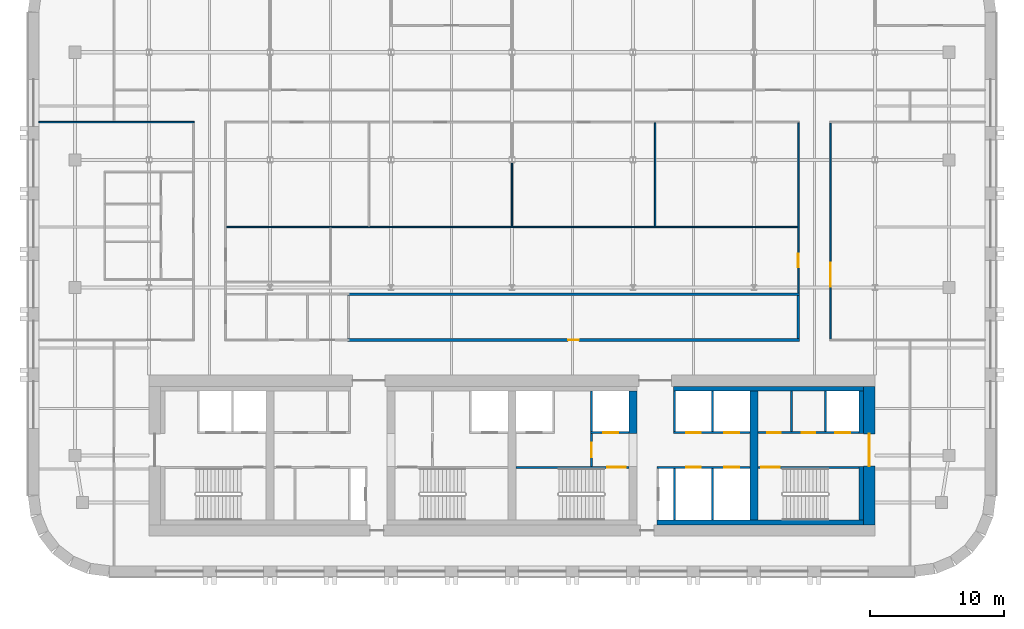
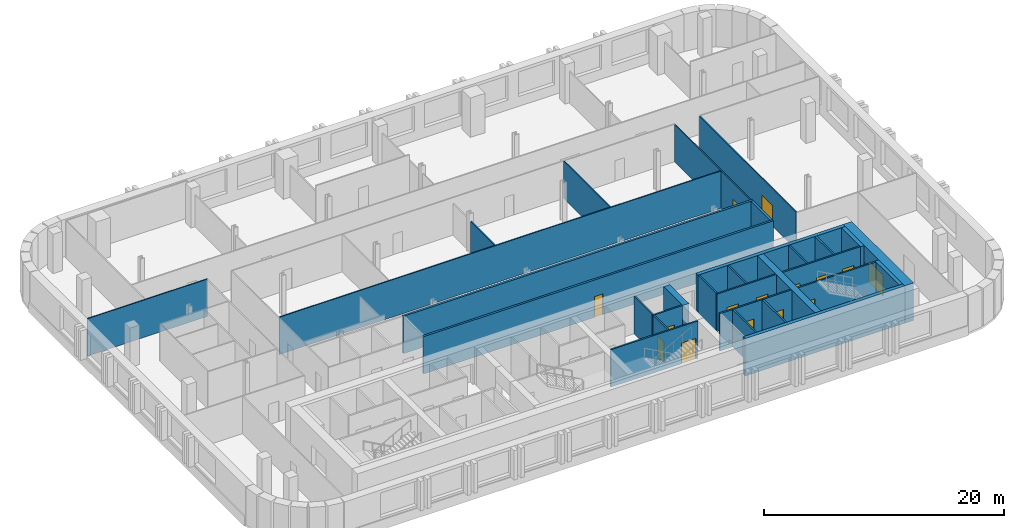
# One storey, part 5 of 9: 30 walls, 15 doors, 15 openings.
"""IFC4 building model written with IfcOpenShell, lengths in metres."""

import ifcopenshell
import ifcopenshell.guid

model = None  # the IFC model being written
_history = None  # IfcOwnerHistory: only IFC2X3 demands one
_inside = {}  # id of a spatial element -> (the spatial element, [elements in it])
_under = {}  # id of a project, library or spatial element -> (it, [spatial elements below it])
_declared = {}  # id of a project -> (the project, [libraries it declares])
_typed = {}  # id of a type object -> (the type object, [elements of that type])
_made_of = {}  # id of a material, layer set ... -> (it, [elements and type objects made of it])


def new_model(schema):
    """Start an empty IFC model of exactly this schema.

    Asked for "IFC4X3", IfcOpenShell would pick the latest addendum, in which some entities
    have other attributes; the version numbers below select the first issue.
    IFC2X3 requires an IfcOwnerHistory on every rooted entity: one is made here for all.
    """
    global model, _history
    if schema == "IFC4X3":
        model = ifcopenshell.file(schema_version=(4, 3, 0, 0))
    else:
        model = ifcopenshell.file(schema=schema)
    _inside.clear()
    _under.clear()
    _declared.clear()
    _typed.clear()
    _made_of.clear()
    _history = None
    if model.schema == "IFC2X3":
        org = make("IfcOrganization", Name="unknown")
        user = make(
            "IfcPersonAndOrganization",
            ThePerson=make("IfcPerson", FamilyName="unknown"),
            TheOrganization=org,
        )
        app = make(
            "IfcApplication",
            ApplicationDeveloper=org,
            Version="unknown",
            ApplicationFullName="unknown",
            ApplicationIdentifier="unknown",
        )
        _history = make(
            "IfcOwnerHistory",
            OwningUser=user,
            OwningApplication=app,
            ChangeAction="ADDED",
            CreationDate=0,
        )
    return model


def make(cls, **values):
    """One entity of the class cls with the attributes given. An attribute that is None is left unset."""
    return model.create_entity(
        cls, **{name: value for name, value in values.items() if value is not None}
    )


def rooted(cls, **values):
    """An entity with a GlobalId (a new one), such as an element, a storey or a relation."""
    return make(cls, GlobalId=ifcopenshell.guid.new(), OwnerHistory=_history, **values)


def si_unit(unit_type, name, prefix=None):
    """IfcSIUnit, for example si_unit("LENGTHUNIT", "METRE", prefix="MILLI")."""
    return make("IfcSIUnit", UnitType=unit_type, Prefix=prefix, Name=name)


def assignment(units):
    """IfcUnitAssignment: the units of a project."""
    return None if units is None else make("IfcUnitAssignment", Units=units)


def point(xyz):
    """IfcCartesianPoint."""
    return None if xyz is None else make("IfcCartesianPoint", Coordinates=xyz)


def direction(xyz):
    """IfcDirection."""
    return None if xyz is None else make("IfcDirection", DirectionRatios=xyz)


def frame(location, z_axis=None, x_axis=None):
    """IfcAxis2Placement3D, a coordinate frame: its origin and axes. An axis left out is left unset."""
    return make(
        "IfcAxis2Placement3D",
        Location=point(location),
        Axis=direction(z_axis),
        RefDirection=direction(x_axis),
    )


def frame_2d(location, x_axis=None):
    """IfcAxis2Placement2D, a coordinate frame in the plane: its origin and x axis."""
    return make(
        "IfcAxis2Placement2D", Location=point(location), RefDirection=direction(x_axis)
    )


def origin():
    """The frame at (0, 0, 0) with its axes left unset."""
    return frame((0.0, 0.0, 0.0))


def place(relative_to, where):
    """IfcLocalPlacement: puts the frame where relative to a parent placement (None: the world)."""
    return make(
        "IfcLocalPlacement", PlacementRelTo=relative_to, RelativePlacement=where
    )


def context(
    kind, dimensions, precision=None, world=None, true_north=None, identifier=None
):
    """IfcGeometricRepresentationContext, for example the 3D "Model" context."""
    return make(
        "IfcGeometricRepresentationContext",
        ContextIdentifier=identifier,
        ContextType=kind,
        CoordinateSpaceDimension=dimensions,
        Precision=precision,
        WorldCoordinateSystem=world,
        TrueNorth=true_north,
    )


def subcontext(parent, identifier, kind, view, scale=None):
    """IfcGeometricRepresentationSubContext, for example "Body" below "Model"."""
    return make(
        "IfcGeometricRepresentationSubContext",
        ContextIdentifier=identifier,
        ContextType=kind,
        ParentContext=parent,
        TargetScale=scale,
        TargetView=view,
    )


def project(units=None, contexts=None):
    """IfcProject with its units and contexts."""
    return rooted(
        "IfcProject",
        Name="project",
        RepresentationContexts=contexts,
        UnitsInContext=assignment(units),
    )


def spatial(cls, under=None, at=None, **own):
    """A site, building, storey or space (cls), placed at a placement, below another one or the project."""
    s = rooted(cls, ObjectPlacement=at, **own)
    if under is not None:
        _under.setdefault(under.id(), (under, []))[1].append(s)
    return s


def profile(cls, at=None, kind="AREA", **sizes):
    """A parametric profile (cls). Its sizes go by their IFC names, for example OverallWidth=200.0."""
    return make(cls, ProfileType=kind, Position=at, **sizes)


def rectangle(**sizes):
    """IfcRectangleProfileDef."""
    return profile("IfcRectangleProfileDef", **sizes)


def extrude(swept, where, along, depth):
    """IfcExtrudedAreaSolid: the profile swept, set in the frame where, extruded along a direction by depth."""
    return make(
        "IfcExtrudedAreaSolid",
        SweptArea=swept,
        Position=where,
        ExtrudedDirection=direction(along),
        Depth=depth,
    )


def shape(context_of_items, identifier, shape_type, items):
    """IfcShapeRepresentation: the items that make up one representation, for example the "Body"."""
    return make(
        "IfcShapeRepresentation",
        ContextOfItems=context_of_items,
        RepresentationIdentifier=identifier,
        RepresentationType=shape_type,
        Items=items,
    )


def material(Name=None, Category=None):
    """IfcMaterial."""
    return make("IfcMaterial", Name=Name, Category=Category)


def layer(
    of_material, thickness, ventilated=None, Name=None, Category=None, Priority=None
):
    """IfcMaterialLayer: one layer of a wall or slab, of a material (None: an air gap)."""
    return make(
        "IfcMaterialLayer",
        Material=of_material,
        LayerThickness=thickness,
        IsVentilated=ventilated,
        Name=Name,
        Category=Category,
        Priority=Priority,
    )


def layer_set(layers, Name=None):
    """IfcMaterialLayerSet."""
    return make("IfcMaterialLayerSet", MaterialLayers=layers, LayerSetName=Name)


def made_of(thing, what):
    """Note that an element or type object is made of a material, layer set ...; save() writes the relation."""
    if what is not None:
        _made_of.setdefault(what.id(), (what, []))[1].append(thing)
    return thing


def type_object(cls, material=None, **own):
    """A type object (cls), such as IfcWallType, which elements share."""
    return made_of(rooted(cls, **own), material)


def element(
    cls,
    number,
    at=None,
    inside=None,
    cuts=None,
    type_object=None,
    material=None,
    context=None,
    identifier="Body",
    shape_type=None,
    held_by="IfcProductDefinitionShape",
    body=None,
    shapes=None,
    **own,
):
    """One element of the class cls, such as IfcWall. Its Tag is "e" and its number.

    at: its placement. inside: the storey or other place that contains it. cuts: it is an
    opening in that element (IfcRelVoidsElement). A single representation is given by context,
    identifier, shape_type and body (its items); several are given by shapes. held_by: the class
    of the entity that holds the representations. save() writes the other relations.
    """
    e = rooted(cls, Tag="e%d" % number, ObjectPlacement=at, **own)
    if body is not None:
        shapes = [shape(context, identifier, shape_type, body)]
    if shapes is not None:
        e.Representation = make(held_by, Representations=shapes)
    if inside is not None:
        _inside.setdefault(inside.id(), (inside, []))[1].append(e)
    if cuts is not None:
        rooted(
            "IfcRelVoidsElement", RelatingBuildingElement=cuts, RelatedOpeningElement=e
        )
    if type_object is not None:
        _typed.setdefault(type_object.id(), (type_object, []))[1].append(e)
    return made_of(e, material)


def fill(opening, filler):
    """IfcRelFillsElement: the door or window that sits in an opening."""
    return rooted(
        "IfcRelFillsElement",
        RelatingOpeningElement=opening,
        RelatedBuildingElement=filler,
    )


def aggregate(whole, parts):
    """IfcRelAggregates: a whole, such as a stair, and the parts it consists of."""
    return rooted("IfcRelAggregates", RelatingObject=whole, RelatedObjects=parts)


def save(model, path):
    """Write the relations noted so far, then the file.

    IfcRelAggregates (storeys below a building ...), IfcRelContainedInSpatialStructure (elements
    in a storey), IfcRelDefinesByType, IfcRelAssociatesMaterial and IfcRelDeclares: one each for
    every whole, place, type object, material and project.
    """
    for whole, parts in _under.values():
        aggregate(whole, parts)
    for where, things in _inside.values():
        rooted(
            "IfcRelContainedInSpatialStructure",
            RelatedElements=things,
            RelatingStructure=where,
        )
    for kind, things in _typed.values():
        rooted("IfcRelDefinesByType", RelatedObjects=things, RelatingType=kind)
    for what, things in _made_of.values():
        rooted("IfcRelAssociatesMaterial", RelatedObjects=things, RelatingMaterial=what)
    for by, libraries in _declared.values():
        rooted("IfcRelDeclares", RelatingContext=by, RelatedDefinitions=libraries)
    model.write(path)


model = new_model("IFC4")

# Units and contexts
model_context = context("Model", 3, precision=1e-05, world=origin(), true_north=direction((0.0, 1.0)))
body_context = subcontext(model_context, "Body", "Model", "MODEL_VIEW")
ifc_project = project(units=[si_unit("LENGTHUNIT", "METRE"), si_unit("AREAUNIT", "SQUARE_METRE"), si_unit("VOLUMEUNIT", "CUBIC_METRE"), si_unit("PLANEANGLEUNIT", "RADIAN"), si_unit("MASSUNIT", "GRAM", prefix="KILO")], contexts=[model_context])

# Site, building, storey
site_placement = place(None, origin())
site = spatial("IfcSite", under=ifc_project, at=site_placement, CompositionType="ELEMENT")
building_placement = place(site_placement, origin())
building = spatial("IfcBuilding", under=site, at=building_placement, Name="Zellij Exchange Tower", CompositionType="ELEMENT")
storey_placement = place(building_placement, frame((0.0, 0.0, 184.5)))
storey = spatial("IfcBuildingStorey", under=building, at=storey_placement, Name="L42", CompositionType="ELEMENT", Elevation=184.5)

# Walls
ifc_material_1 = material(Name="Concrete C60/75", Category="concrete")
ifc_layer_1 = layer(ifc_material_1, 0.60009765625)
ifc_layer_set_1 = layer_set([ifc_layer_1], Name="Concrete C60/75")
wall_type_1 = type_object("IfcWallType", Name="CORE-CW 600 C60/75", PredefinedType="SHEAR", material=ifc_layer_set_1)
wall_1_placement = place(storey_placement, frame((9.0, -6.375, 0.0), z_axis=(0.0, 0.0, 1.0), x_axis=(0.0, 1.0, 0.0)))
element("IfcWall", 1, at=wall_1_placement, inside=storey, type_object=wall_type_1, Name="Core cross wall pier x 9 b L42", PredefinedType="SHEAR", context=body_context, shape_type="SweptSolid", body=[
    extrude(rectangle(XDim=3.175048828125, YDim=0.60009765625, at=frame_2d((1.58740234375, 0.0))), origin(), (0.0, 0.0, 1.0), 3.800048828125),
])
wall_2_placement = place(storey_placement, frame((18.0, -12.800048828125, 0.0), z_axis=(0.0, 0.0, 1.0), x_axis=(0.0, 1.0, 0.0)))
element("IfcWall", 2, at=wall_2_placement, inside=storey, type_object=wall_type_1, Name="Core cross wall x 18 L42", PredefinedType="SHEAR", context=body_context, shape_type="SweptSolid", body=[
    extrude(rectangle(XDim=9.60009765625, YDim=0.60009765625, at=frame_2d((4.800048828125, 0.0))), origin(), (0.0, 0.0, 1.0), 3.800048828125),
])
ifc_material_2 = material(Name="Concrete C30/37", Category="concrete")
ifc_layer_2 = layer(ifc_material_2, 0.35009765625)
ifc_layer_set_2 = layer_set([ifc_layer_2], Name="Concrete C30/37")
wall_type_2 = type_object("IfcWallType", Name="CORE-LW 350 C30/37", PredefinedType="SHEAR", material=ifc_layer_set_2)
wall_3_placement = place(storey_placement, frame((12.0, -3.02490234375, 0.0), z_axis=(0.0, 0.0, 1.0), x_axis=(1.0, 0.0, 0.0)))
element("IfcWall", 3, at=wall_3_placement, inside=storey, type_object=wall_type_2, Name="Core wall lining front.2 L42", PredefinedType="SHEAR", context=body_context, shape_type="SweptSolid", body=[
    extrude(rectangle(XDim=14.14990234375, YDim=0.35009765625, at=frame_2d((7.074951171875, 0.0))), origin(), (0.0, 0.0, 1.0), 3.800048828125),
])
wall_4_placement = place(storey_placement, frame((10.800048828125, -12.97509765625, 0.0), z_axis=(0.0, 0.0, 1.0), x_axis=(1.0, 0.0, 0.0)))
element("IfcWall", 4, at=wall_4_placement, inside=storey, type_object=wall_type_2, Name="Core wall lining rear.2 L42", PredefinedType="SHEAR", context=body_context, shape_type="SweptSolid", body=[
    extrude(rectangle(XDim=15.349853515625, YDim=0.35009765625, at=frame_2d((7.6748046875, 0.0))), origin(), (0.0, 0.0, 1.0), 3.800048828125),
])
wall_5_placement = place(storey_placement, frame((25.97509765625, -12.800048828125, 0.0), z_axis=(0.0, 0.0, 1.0), x_axis=(0.0, 1.0, 0.0)))
element("IfcWall", 5, at=wall_5_placement, inside=storey, type_object=wall_type_2, Name="Core wall lining end e.0 L42", PredefinedType="SHEAR", context=body_context, shape_type="SweptSolid", body=[
    extrude(rectangle(XDim=4.0, YDim=0.35009765625, at=frame_2d((2.0, 0.0))), origin(), (0.0, 0.0, 1.0), 3.800048828125),
])
wall_6_placement = place(storey_placement, frame((25.97509765625, -6.375, 0.0), z_axis=(0.0, 0.0, 1.0), x_axis=(0.0, 1.0, 0.0)))
element("IfcWall", 6, at=wall_6_placement, inside=storey, type_object=wall_type_2, Name="Core wall lining end e.1 L42", PredefinedType="SHEAR", context=body_context, shape_type="SweptSolid", body=[
    extrude(rectangle(XDim=3.175048828125, YDim=0.35009765625, at=frame_2d((1.58740234375, 0.0))), origin(), (0.0, 0.0, 1.0), 3.800048828125),
])

# Wall, opening, door
ifc_material_3 = material(Name="Gypsum shaft wall system")
ifc_layer_3 = layer(ifc_material_3, 0.14990234375)
ifc_layer_set_3 = layer_set([ifc_layer_3], Name="Gypsum shaft wall system")
wall_type_3 = type_object("IfcWallType", Name="CORE-PW 150 Firefighting lobby wall", PredefinedType="PARTITIONING", material=ifc_layer_set_3)
wall_7_placement = place(storey_placement, frame((5.925048828125, -8.800048828125, 0.0), z_axis=(0.0, 0.0, 1.0), x_axis=(0.0, 1.0, 0.0)))
wall_7 = element("IfcWall", 7, at=wall_7_placement, inside=storey, type_object=wall_type_3, Name="Firefighting lobby wall L42", PredefinedType="PARTITIONING", context=body_context, shape_type="SweptSolid", body=[
    extrude(rectangle(XDim=2.425048828125, YDim=0.14990234375, at=frame_2d((1.21240234375, 0.0))), origin(), (0.0, 0.0, 1.0), 3.800048828125),
])
opening_1_placement = place(wall_7_placement, frame((0.662109375, 0.0, 0.0)))
opening_1 = element("IfcOpeningElement", 8, at=opening_1_placement, cuts=wall_7, Name="Opening CA-23.16", PredefinedType="OPENING", context=body_context, shape_type="SweptSolid", body=[
    extrude(rectangle(XDim=1.10009765625, YDim=2.10009765625, at=frame_2d((0.550048828125, 1.050048828125))), frame((0.0, 0.0869140625, 0.0), z_axis=(0.0, -1.0, 0.0), x_axis=(1.0, 0.0, 0.0)), (0.0, 0.0, 1.0), 0.173828125),
])
ifc_material_4 = material(Name="Hollow metal fire door")
door_type_1 = type_object("IfcDoorType", Name="CORE-D F Firefighting lobby door 1100x2100 1 HR", OperationType="NOTDEFINED", PredefinedType="DOOR", material=ifc_material_4)
door_1_placement = place(opening_1_placement, origin())
door_1 = element("IfcDoor", 9, at=door_1_placement, inside=storey, type_object=door_type_1, Name="Firefighting lobby door CA-23.16", OperationType="SINGLE_SWING_RIGHT", OverallHeight=2.10009765625, OverallWidth=1.10009765625, PredefinedType="DOOR", context=body_context, shape_type="SweptSolid", body=[
    extrude(rectangle(XDim=1.10009765625, YDim=2.10009765625, at=frame_2d((0.550048828125, 1.050048828125))), frame((0.0, 0.02490234375, 0.0), z_axis=(0.0, -1.0, 0.0), x_axis=(1.0, 0.0, 0.0)), (0.0, 0.0, 1.0), 0.050048828125),
])
fill(opening_1, door_1)

# Walls
ifc_material_5 = material(Name="Gypsum board partition")
ifc_layer_4 = layer(ifc_material_5, 0.14990234375)
ifc_layer_set_4 = layer_set([ifc_layer_4], Name="Gypsum board partition")
wall_type_4 = type_object("IfcWallType", Name="CORE-PW 150 Lift lobby wall", PredefinedType="PARTITIONING", material=ifc_layer_set_4)
wall_8_placement = place(storey_placement, frame((20.77490234375, -6.22509765625, 0.0), z_axis=(0.0, 0.0, 1.0), x_axis=(0.0, 1.0, 0.0)))
element("IfcWall", 10, at=wall_8_placement, inside=storey, type_object=wall_type_4, Name="Lift lobby wall L42", PredefinedType="PARTITIONING", context=body_context, shape_type="SweptSolid", body=[
    extrude(rectangle(XDim=3.025146484375, YDim=0.14990234375, at=frame_2d((1.5126953125, 0.0))), origin(), (0.0, 0.0, 1.0), 3.800048828125),
])
ifc_layer_5 = layer(ifc_material_3, 0.14990234375)
ifc_layer_set_5 = layer_set([ifc_layer_5], Name="Gypsum shaft wall system")
wall_type_5 = type_object("IfcWallType", Name="CORE-PW 150 Lift shaft wall", PredefinedType="PARTITIONING", material=ifc_layer_set_5)
for number, where, z_axis, x_axis, name in (
    (11, (5.925048828125, -6.22509765625, 0.0), (0.0, 0.0, 1.0), (0.0, 1.0, 0.0), "Lift shaft wall L42"),
    (12, (12.074951171875, -6.22509765625, 0.0), (0.0, 0.0, 1.0), (0.0, 1.0, 0.0), "Lift shaft wall L42"),
    (13, (14.925048828125, -6.22509765625, 0.0), (0.0, 0.0, 1.0), (0.0, 1.0, 0.0), "Lift shaft wall L42"),
    (14, (23.324951171875, -6.22509765625, 0.0), (0.0, 0.0, 1.0), (0.0, 1.0, 0.0), "Lift shaft wall L42"),
):
    element("IfcWall", number, at=place(storey_placement, frame(where, z_axis=z_axis, x_axis=x_axis)), inside=storey, type_object=wall_type_5, Name=name, PredefinedType="PARTITIONING", context=body_context, shape_type="SweptSolid", body=[
        extrude(rectangle(XDim=3.025146484375, YDim=0.14990234375, at=frame_2d((1.5126953125, 0.0))), origin(), (0.0, 0.0, 1.0), 3.800048828125),
    ])
for number, where, z_axis, x_axis, name in (
    (15, (12.074951171875, -12.800048828125, 0.0), (0.0, 0.0, 1.0), (0.0, 1.0, 0.0), "Lift shaft wall L42"),
    (16, (14.925048828125, -12.800048828125, 0.0), (0.0, 0.0, 1.0), (0.0, 1.0, 0.0), "Lift shaft wall L42"),
):
    element("IfcWall", number, at=place(storey_placement, frame(where, z_axis=z_axis, x_axis=x_axis)), inside=storey, type_object=wall_type_5, Name=name, PredefinedType="PARTITIONING", context=body_context, shape_type="SweptSolid", body=[
        extrude(rectangle(XDim=3.85009765625, YDim=0.14990234375, at=frame_2d((1.925048828125, 0.0))), origin(), (0.0, 0.0, 1.0), 3.800048828125),
    ])

# Wall, opening, door
wall_9_placement = place(storey_placement, frame((5.85009765625, -6.300048828125, 0.0), z_axis=(0.0, 0.0, 1.0), x_axis=(1.0, 0.0, 0.0)))
wall_9 = element("IfcWall", 17, at=wall_9_placement, inside=storey, type_object=wall_type_5, Name="Lift shaft wall L42", PredefinedType="PARTITIONING", context=body_context, shape_type="SweptSolid", body=[
    extrude(rectangle(XDim=2.849853515625, YDim=0.14990234375, at=frame_2d((1.4248046875, 0.0))), origin(), (0.0, 0.0, 1.0), 3.800048828125),
])
opening_2_placement = place(wall_9_placement, frame((0.949951171875, 0.0, 0.0)))
opening_2 = element("IfcOpeningElement", 18, at=opening_2_placement, cuts=wall_9, Name="Opening CA-23.17", PredefinedType="OPENING", context=body_context, shape_type="SweptSolid", body=[
    extrude(rectangle(XDim=1.10009765625, YDim=2.10009765625, at=frame_2d((0.550048828125, 1.050048828125))), frame((0.0, 0.0869140625, 0.0), z_axis=(0.0, -1.0, 0.0), x_axis=(1.0, 0.0, 0.0)), (0.0, 0.0, 1.0), 0.173828125),
])
door_type_2 = type_object("IfcDoorType", Name="CORE-D LD Lift landing door 1100x2100 1.5 HR", OperationType="NOTDEFINED", PredefinedType="DOOR", material=ifc_material_4)
door_2_placement = place(opening_2_placement, origin())
door_2 = element("IfcDoor", 19, at=door_2_placement, inside=storey, type_object=door_type_2, Name="Lift landing door CA-23.17", OperationType="SLIDING_TO_LEFT", OverallHeight=2.10009765625, OverallWidth=1.10009765625, PredefinedType="DOOR", context=body_context, shape_type="SweptSolid", body=[
    extrude(rectangle(XDim=1.10009765625, YDim=2.10009765625, at=frame_2d((0.550048828125, 1.050048828125))), frame((0.0, 0.02490234375, 0.0), z_axis=(0.0, -1.0, 0.0), x_axis=(1.0, 0.0, 0.0)), (0.0, 0.0, 1.0), 0.050048828125),
])
fill(opening_2, door_2)

# Wall, openings, doors
wall_10_placement = place(storey_placement, frame((12.0, -6.300048828125, 0.0), z_axis=(0.0, 0.0, 1.0), x_axis=(1.0, 0.0, 0.0)))
wall_10 = element("IfcWall", 20, at=wall_10_placement, inside=storey, type_object=wall_type_5, Name="Lift shaft wall L42", PredefinedType="PARTITIONING", context=body_context, shape_type="SweptSolid", body=[
    extrude(rectangle(XDim=5.699951171875, YDim=0.14990234375, at=frame_2d((2.85009765625, 0.0))), origin(), (0.0, 0.0, 1.0), 3.800048828125),
])
opening_3_placement = place(wall_10_placement, frame((0.949951171875, 0.0, 0.0)))
opening_3 = element("IfcOpeningElement", 21, at=opening_3_placement, cuts=wall_10, Name="Opening CA-23.23", PredefinedType="OPENING", context=body_context, shape_type="SweptSolid", body=[
    extrude(rectangle(XDim=1.10009765625, YDim=2.10009765625, at=frame_2d((0.550048828125, 1.050048828125))), frame((0.0, 0.0869140625, 0.0), z_axis=(0.0, -1.0, 0.0), x_axis=(1.0, 0.0, 0.0)), (0.0, 0.0, 1.0), 0.173828125),
])
opening_4_placement = place(wall_10_placement, frame((3.800048828125, 0.0, 0.0)))
opening_4 = element("IfcOpeningElement", 22, at=opening_4_placement, cuts=wall_10, Name="Opening CA-23.25", PredefinedType="OPENING", context=body_context, shape_type="SweptSolid", body=[
    extrude(rectangle(XDim=1.10009765625, YDim=2.10009765625, at=frame_2d((0.550048828125, 1.050048828125))), frame((0.0, 0.0869140625, 0.0), z_axis=(0.0, -1.0, 0.0), x_axis=(1.0, 0.0, 0.0)), (0.0, 0.0, 1.0), 0.173828125),
])
door_3_placement = place(opening_3_placement, origin())
door_3 = element("IfcDoor", 23, at=door_3_placement, inside=storey, type_object=door_type_2, Name="Lift landing door CA-23.23", OperationType="SLIDING_TO_LEFT", OverallHeight=2.10009765625, OverallWidth=1.10009765625, PredefinedType="DOOR", context=body_context, shape_type="SweptSolid", body=[
    extrude(rectangle(XDim=1.10009765625, YDim=2.10009765625, at=frame_2d((0.550048828125, 1.050048828125))), frame((0.0, 0.02490234375, 0.0), z_axis=(0.0, -1.0, 0.0), x_axis=(1.0, 0.0, 0.0)), (0.0, 0.0, 1.0), 0.050048828125),
])
fill(opening_3, door_3)
door_4_placement = place(opening_4_placement, origin())
door_4 = element("IfcDoor", 24, at=door_4_placement, inside=storey, type_object=door_type_2, Name="Lift landing door CA-23.25", OperationType="SLIDING_TO_LEFT", OverallHeight=2.10009765625, OverallWidth=1.10009765625, PredefinedType="DOOR", context=body_context, shape_type="SweptSolid", body=[
    extrude(rectangle(XDim=1.10009765625, YDim=2.10009765625, at=frame_2d((0.550048828125, 1.050048828125))), frame((0.0, 0.02490234375, 0.0), z_axis=(0.0, -1.0, 0.0), x_axis=(1.0, 0.0, 0.0)), (0.0, 0.0, 1.0), 0.050048828125),
])
fill(opening_4, door_4)

wall_11_placement = place(storey_placement, frame((18.300048828125, -6.300048828125, 0.0), z_axis=(0.0, 0.0, 1.0), x_axis=(1.0, 0.0, 0.0)))
wall_11 = element("IfcWall", 25, at=wall_11_placement, inside=storey, type_object=wall_type_5, Name="Lift shaft wall L42", PredefinedType="PARTITIONING", context=body_context, shape_type="SweptSolid", body=[
    extrude(rectangle(XDim=7.5, YDim=0.14990234375, at=frame_2d((3.75, 0.0))), origin(), (0.0, 0.0, 1.0), 3.800048828125),
])
opening_5_placement = place(wall_11_placement, frame((0.699951171875, 0.0, 0.0)))
opening_5 = element("IfcOpeningElement", 26, at=opening_5_placement, cuts=wall_11, Name="Opening CA-23.27", PredefinedType="OPENING", context=body_context, shape_type="SweptSolid", body=[
    extrude(rectangle(XDim=1.0, YDim=2.10009765625, at=frame_2d((0.5, 1.050048828125))), frame((0.0, 0.0869140625, 0.0), z_axis=(0.0, -1.0, 0.0), x_axis=(1.0, 0.0, 0.0)), (0.0, 0.0, 1.0), 0.173828125),
])
opening_6_placement = place(wall_11_placement, frame((3.25, 0.0, 0.0)))
opening_6 = element("IfcOpeningElement", 27, at=opening_6_placement, cuts=wall_11, Name="Opening CA-23.28", PredefinedType="OPENING", context=body_context, shape_type="SweptSolid", body=[
    extrude(rectangle(XDim=1.0, YDim=2.10009765625, at=frame_2d((0.5, 1.050048828125))), frame((0.0, 0.0869140625, 0.0), z_axis=(0.0, -1.0, 0.0), x_axis=(1.0, 0.0, 0.0)), (0.0, 0.0, 1.0), 0.173828125),
])
opening_7_placement = place(wall_11_placement, frame((5.75, 0.0, 0.0)))
opening_7 = element("IfcOpeningElement", 28, at=opening_7_placement, cuts=wall_11, Name="Opening CA-23.29", PredefinedType="OPENING", context=body_context, shape_type="SweptSolid", body=[
    extrude(rectangle(XDim=1.10009765625, YDim=2.10009765625, at=frame_2d((0.550048828125, 1.050048828125))), frame((0.0, 0.0869140625, 0.0), z_axis=(0.0, -1.0, 0.0), x_axis=(1.0, 0.0, 0.0)), (0.0, 0.0, 1.0), 0.173828125),
])
door_type_3 = type_object("IfcDoorType", Name="CORE-D CD Core room door 1000x2100 1 HR", OperationType="NOTDEFINED", PredefinedType="DOOR", material=ifc_material_4)
door_5_placement = place(opening_5_placement, origin())
door_5 = element("IfcDoor", 29, at=door_5_placement, inside=storey, type_object=door_type_3, Name="Core room door CA-23.27", OperationType="SINGLE_SWING_LEFT", OverallHeight=2.10009765625, OverallWidth=1.0, PredefinedType="DOOR", context=body_context, shape_type="SweptSolid", body=[
    extrude(rectangle(XDim=1.0, YDim=2.10009765625, at=frame_2d((0.5, 1.050048828125))), frame((0.0, 0.02490234375, 0.0), z_axis=(0.0, -1.0, 0.0), x_axis=(1.0, 0.0, 0.0)), (0.0, 0.0, 1.0), 0.050048828125),
])
fill(opening_5, door_5)
door_6_placement = place(opening_6_placement, origin())
door_6 = element("IfcDoor", 30, at=door_6_placement, inside=storey, type_object=door_type_3, Name="Core room door CA-23.28", OperationType="SINGLE_SWING_LEFT", OverallHeight=2.10009765625, OverallWidth=1.0, PredefinedType="DOOR", context=body_context, shape_type="SweptSolid", body=[
    extrude(rectangle(XDim=1.0, YDim=2.10009765625, at=frame_2d((0.5, 1.050048828125))), frame((0.0, 0.02490234375, 0.0), z_axis=(0.0, -1.0, 0.0), x_axis=(1.0, 0.0, 0.0)), (0.0, 0.0, 1.0), 0.050048828125),
])
fill(opening_6, door_6)
door_7_placement = place(opening_7_placement, origin())
door_7 = element("IfcDoor", 31, at=door_7_placement, inside=storey, type_object=door_type_2, Name="Lift landing door CA-23.29", OperationType="SLIDING_TO_LEFT", OverallHeight=2.10009765625, OverallWidth=1.10009765625, PredefinedType="DOOR", context=body_context, shape_type="SweptSolid", body=[
    extrude(rectangle(XDim=1.10009765625, YDim=2.10009765625, at=frame_2d((0.550048828125, 1.050048828125))), frame((0.0, 0.02490234375, 0.0), z_axis=(0.0, -1.0, 0.0), x_axis=(1.0, 0.0, 0.0)), (0.0, 0.0, 1.0), 0.050048828125),
])
fill(opening_7, door_7)

wall_12_placement = place(storey_placement, frame((10.800048828125, -8.875, 0.0), z_axis=(0.0, 0.0, 1.0), x_axis=(1.0, 0.0, 0.0)))
wall_12 = element("IfcWall", 32, at=wall_12_placement, inside=storey, type_object=wall_type_5, Name="Lift shaft wall L42", PredefinedType="PARTITIONING", context=body_context, shape_type="SweptSolid", body=[
    extrude(rectangle(XDim=6.89990234375, YDim=0.14990234375, at=frame_2d((3.449951171875, 0.0))), origin(), (0.0, 0.0, 1.0), 3.800048828125),
])
opening_8_placement = place(wall_12_placement, frame((2.14990234375, 0.0, 0.0)))
opening_8 = element("IfcOpeningElement", 33, at=opening_8_placement, cuts=wall_12, Name="Opening CA-23.22", PredefinedType="OPENING", context=body_context, shape_type="SweptSolid", body=[
    extrude(rectangle(XDim=1.10009765625, YDim=2.10009765625, at=frame_2d((0.550048828125, 1.050048828125))), frame((0.0, 0.0869140625, 0.0), z_axis=(0.0, -1.0, 0.0), x_axis=(1.0, 0.0, 0.0)), (0.0, 0.0, 1.0), 0.173828125),
])
opening_9_placement = place(wall_12_placement, frame((5.0, 0.0, 0.0)))
opening_9 = element("IfcOpeningElement", 34, at=opening_9_placement, cuts=wall_12, Name="Opening CA-23.24", PredefinedType="OPENING", context=body_context, shape_type="SweptSolid", body=[
    extrude(rectangle(XDim=1.10009765625, YDim=2.10009765625, at=frame_2d((0.550048828125, 1.050048828125))), frame((0.0, 0.0869140625, 0.0), z_axis=(0.0, -1.0, 0.0), x_axis=(1.0, 0.0, 0.0)), (0.0, 0.0, 1.0), 0.173828125),
])
door_8_placement = place(opening_8_placement, origin())
door_8 = element("IfcDoor", 35, at=door_8_placement, inside=storey, type_object=door_type_2, Name="Lift landing door CA-23.22", OperationType="SLIDING_TO_RIGHT", OverallHeight=2.10009765625, OverallWidth=1.10009765625, PredefinedType="DOOR", context=body_context, shape_type="SweptSolid", body=[
    extrude(rectangle(XDim=1.10009765625, YDim=2.10009765625, at=frame_2d((0.550048828125, 1.050048828125))), frame((0.0, 0.02490234375, 0.0), z_axis=(0.0, -1.0, 0.0), x_axis=(1.0, 0.0, 0.0)), (0.0, 0.0, 1.0), 0.050048828125),
])
fill(opening_8, door_8)
door_9_placement = place(opening_9_placement, origin())
door_9 = element("IfcDoor", 36, at=door_9_placement, inside=storey, type_object=door_type_2, Name="Lift landing door CA-23.24", OperationType="SLIDING_TO_RIGHT", OverallHeight=2.10009765625, OverallWidth=1.10009765625, PredefinedType="DOOR", context=body_context, shape_type="SweptSolid", body=[
    extrude(rectangle(XDim=1.10009765625, YDim=2.10009765625, at=frame_2d((0.550048828125, 1.050048828125))), frame((0.0, 0.02490234375, 0.0), z_axis=(0.0, -1.0, 0.0), x_axis=(1.0, 0.0, 0.0)), (0.0, 0.0, 1.0), 0.050048828125),
])
fill(opening_9, door_9)

# Wall, opening, door
ifc_layer_6 = layer(ifc_material_1, 0.85009765625)
ifc_layer_set_6 = layer_set([ifc_layer_6], Name="Concrete C60/75")
wall_type_6 = type_object("IfcWallType", Name="CORE-SW 850 C60/75", PredefinedType="SHEAR", material=ifc_layer_set_6)
wall_13_placement = place(storey_placement, frame((26.574951171875, -13.14990234375, 0.0), z_axis=(0.0, 0.0, 1.0), x_axis=(0.0, 1.0, 0.0)))
wall_13 = element("IfcWall", 37, at=wall_13_placement, inside=storey, type_object=wall_type_6, Name="Core shear wall end e L42", PredefinedType="SHEAR", context=body_context, shape_type="SweptSolid", body=[
    extrude(rectangle(XDim=10.2998046875, YDim=0.85009765625, at=frame_2d((5.14990234375, 0.0))), origin(), (0.0, 0.0, 1.0), 3.800048828125),
])
opening_10_placement = place(wall_13_placement, frame((4.362060546875, 0.0, 0.0)))
opening_10 = element("IfcOpeningElement", 38, at=opening_10_placement, cuts=wall_13, Name="Opening CA-23.30", PredefinedType="OPENING", context=body_context, shape_type="SweptSolid", body=[
    extrude(rectangle(XDim=2.39990234375, YDim=2.10009765625, at=frame_2d((1.199951171875, 1.050048828125))), frame((0.0, 0.43701171875, 0.0), z_axis=(0.0, -1.0, 0.0), x_axis=(1.0, 0.0, 0.0)), (0.0, 0.0, 1.0), 0.8740234375),
])
door_type_4 = type_object("IfcDoorType", Name="CORE-D CE Core entrance door 2400x2100 20 MIN", OperationType="NOTDEFINED", PredefinedType="DOOR", material=ifc_material_4)
door_10_placement = place(opening_10_placement, origin())
door_10 = element("IfcDoor", 39, at=door_10_placement, inside=storey, type_object=door_type_4, Name="Core entrance door CA-23.30", OperationType="DOUBLE_DOOR_SINGLE_SWING", OverallHeight=2.10009765625, OverallWidth=2.39990234375, PredefinedType="DOOR", context=body_context, shape_type="SweptSolid", body=[
    extrude(rectangle(XDim=2.39990234375, YDim=2.10009765625, at=frame_2d((1.199951171875, 1.050048828125))), frame((0.0, 0.02490234375, 0.0), z_axis=(0.0, -1.0, 0.0), x_axis=(1.0, 0.0, 0.0)), (0.0, 0.0, 1.0), 0.050048828125),
])
fill(opening_10, door_10)

ifc_layer_7 = layer(ifc_material_1, 0.14990234375)
ifc_layer_set_7 = layer_set([ifc_layer_7], Name="Concrete C60/75")
wall_type_7 = type_object("IfcWallType", Name="CORE-SWS 150 C60/75", PredefinedType="SHEAR", material=ifc_layer_set_7)
wall_14_placement = place(storey_placement, frame((0.300048828125, -8.875, 0.0), z_axis=(0.0, 0.0, 1.0), x_axis=(1.0, 0.0, 0.0)))
wall_14 = element("IfcWall", 40, at=wall_14_placement, inside=storey, type_object=wall_type_7, Name="Stair enclosure wall L42", PredefinedType="SHEAR", context=body_context, shape_type="SweptSolid", body=[
    extrude(rectangle(XDim=8.39990234375, YDim=0.14990234375, at=frame_2d((4.199951171875, 0.0))), origin(), (0.0, 0.0, 1.0), 3.800048828125),
])
opening_11_placement = place(wall_14_placement, frame((6.77490234375, 0.0, 0.0)))
opening_11 = element("IfcOpeningElement", 41, at=opening_11_placement, cuts=wall_14, Name="Opening CA-23.18", PredefinedType="OPENING", context=body_context, shape_type="SweptSolid", body=[
    extrude(rectangle(XDim=1.39990234375, YDim=2.10009765625, at=frame_2d((0.699951171875, 1.050048828125))), frame((0.0, 0.0869140625, 0.0), z_axis=(0.0, -1.0, 0.0), x_axis=(1.0, 0.0, 0.0)), (0.0, 0.0, 1.0), 0.173828125),
])
door_type_5 = type_object("IfcDoorType", Name="CORE-D SD Stair door 1400x2100 1.5 HR", OperationType="NOTDEFINED", PredefinedType="DOOR", material=ifc_material_4)
door_11_placement = place(opening_11_placement, origin())
door_11 = element("IfcDoor", 42, at=door_11_placement, inside=storey, type_object=door_type_5, Name="Stair door CA-23.18", OperationType="DOUBLE_DOOR_SINGLE_SWING", OverallHeight=2.10009765625, OverallWidth=1.39990234375, PredefinedType="DOOR", context=body_context, shape_type="SweptSolid", body=[
    extrude(rectangle(XDim=1.39990234375, YDim=2.10009765625, at=frame_2d((0.699951171875, 1.050048828125))), frame((0.0, 0.02490234375, 0.0), z_axis=(0.0, -1.0, 0.0), x_axis=(1.0, 0.0, 0.0)), (0.0, 0.0, 1.0), 0.050048828125),
])
fill(opening_11, door_11)

wall_15_placement = place(storey_placement, frame((18.300048828125, -8.875, 0.0), z_axis=(0.0, 0.0, 1.0), x_axis=(1.0, 0.0, 0.0)))
wall_15 = element("IfcWall", 43, at=wall_15_placement, inside=storey, type_object=wall_type_7, Name="Stair enclosure wall L42", PredefinedType="SHEAR", context=body_context, shape_type="SweptSolid", body=[
    extrude(rectangle(XDim=7.5, YDim=0.14990234375, at=frame_2d((3.75, 0.0))), origin(), (0.0, 0.0, 1.0), 3.800048828125),
])
opening_12_placement = place(wall_15_placement, frame((0.22509765625, 0.0, 0.0)))
opening_12 = element("IfcOpeningElement", 44, at=opening_12_placement, cuts=wall_15, Name="Opening CA-23.26", PredefinedType="OPENING", context=body_context, shape_type="SweptSolid", body=[
    extrude(rectangle(XDim=1.39990234375, YDim=2.10009765625, at=frame_2d((0.699951171875, 1.050048828125))), frame((0.0, 0.0869140625, 0.0), z_axis=(0.0, -1.0, 0.0), x_axis=(1.0, 0.0, 0.0)), (0.0, 0.0, 1.0), 0.173828125),
])
door_12_placement = place(opening_12_placement, origin())
door_12 = element("IfcDoor", 45, at=door_12_placement, inside=storey, type_object=door_type_5, Name="Stair door CA-23.26", OperationType="DOUBLE_DOOR_SINGLE_SWING", OverallHeight=2.10009765625, OverallWidth=1.39990234375, PredefinedType="DOOR", context=body_context, shape_type="SweptSolid", body=[
    extrude(rectangle(XDim=1.39990234375, YDim=2.10009765625, at=frame_2d((0.699951171875, 1.050048828125))), frame((0.0, 0.02490234375, 0.0), z_axis=(0.0, -1.0, 0.0), x_axis=(1.0, 0.0, 0.0)), (0.0, 0.0, 1.0), 0.050048828125),
])
fill(opening_12, door_12)

ifc_material_6 = material(Name="Blockwork partition", Category="masonry")
ifc_layer_8 = layer(ifc_material_6, 0.199951171875)
ifc_layer_set_8 = layer_set([ifc_layer_8], Name="Blockwork partition")
wall_type_8 = type_object("IfcWallType", Name="FIT-BLOCKWORK-200", PredefinedType="PARTITIONING", material=ifc_layer_set_8)
wall_16_placement = place(storey_placement, frame((-12.2451171875, 0.60009765625, 0.0), z_axis=(0.0, 0.0, 1.0), x_axis=(1.0, 0.0, 0.0)))
wall_16 = element("IfcWall", 46, at=wall_16_placement, inside=storey, type_object=wall_type_8, Name="FIT-BLOCKWORK-200 010", PredefinedType="PARTITIONING", context=body_context, shape_type="SweptSolid", body=[
    extrude(rectangle(XDim=33.64501953125, YDim=0.199951171875, at=frame_2d((16.822509765625, 0.0))), origin(), (0.0, 0.0, 1.0), 3.800048828125),
])
opening_13_placement = place(wall_16_placement, frame((16.424072265625, 0.0, 0.0)))
opening_13 = element("IfcOpeningElement", 47, at=opening_13_placement, cuts=wall_16, Name="Opening O3B.06", PredefinedType="OPENING", context=body_context, shape_type="SweptSolid", body=[
    extrude(rectangle(XDim=0.800048828125, YDim=2.10009765625, at=frame_2d((0.39990234375, 1.050048828125))), frame((0.0, 0.11181640625, 0.0), z_axis=(0.0, -1.0, 0.0), x_axis=(1.0, 0.0, 0.0)), (0.0, 0.0, 1.0), 0.223876953125),
])
ifc_material_7 = material(Name="Timber door set", Category="wood")
door_type_6 = type_object("IfcDoorType", Name="FIT-D6-SERVICE-800X2100", OperationType="SINGLE_SWING_LEFT", PredefinedType="DOOR", material=ifc_material_7)
door_13_placement = place(opening_13_placement, origin())
door_13 = element("IfcDoor", 48, at=door_13_placement, inside=storey, type_object=door_type_6, Name="Door O3B.06", OperationType="SINGLE_SWING_LEFT", OverallHeight=2.10009765625, OverallWidth=0.800048828125, PredefinedType="DOOR", context=body_context, shape_type="SweptSolid", body=[
    extrude(rectangle(XDim=0.800048828125, YDim=2.10009765625, at=frame_2d((0.39990234375, 1.050048828125))), frame((0.0, 0.02490234375, 0.0), z_axis=(0.0, -1.0, 0.0), x_axis=(1.0, 0.0, 0.0)), (0.0, 0.0, 1.0), 0.050048828125),
])
fill(opening_13, door_13)

# Walls
wall_17_placement = place(storey_placement, frame((21.300048828125, 0.699951171875, 0.0), z_axis=(0.0, 0.0, 1.0), x_axis=(0.0, 1.0, 0.0)))
element("IfcWall", 49, at=wall_17_placement, inside=storey, type_object=wall_type_8, Name="FIT-BLOCKWORK-200 012", PredefinedType="PARTITIONING", context=body_context, shape_type="SweptSolid", body=[
    extrude(rectangle(XDim=3.199951171875, YDim=0.199951171875, at=frame_2d((1.60009765625, 0.0))), origin(), (0.0, 0.0, 1.0), 3.800048828125),
])
wall_18_placement = place(storey_placement, frame((-12.2451171875, 4.0, 0.0), z_axis=(0.0, 0.0, 1.0), x_axis=(1.0, 0.0, 0.0)))
element("IfcWall", 50, at=wall_18_placement, inside=storey, type_object=wall_type_8, Name="FIT-BLOCKWORK-200 017", PredefinedType="PARTITIONING", context=body_context, shape_type="SweptSolid", body=[
    extrude(rectangle(XDim=33.64501953125, YDim=0.199951171875, at=frame_2d((16.822509765625, 0.0))), origin(), (0.0, 0.0, 1.0), 3.800048828125),
])

# Wall, opening, door
ifc_material_8 = material(Name="Gypsum board partition on steel studs", Category="steel")
ifc_layer_9 = layer(ifc_material_8, 0.10009765625)
ifc_layer_set_9 = layer_set([ifc_layer_9], Name="Gypsum board partition on steel studs")
wall_type_9 = type_object("IfcWallType", Name="FIT-PARTITION-100", PredefinedType="PARTITIONING", material=ifc_layer_set_9)
wall_19_placement = place(storey_placement, frame((23.699951171875, 0.64990234375, 0.0), z_axis=(0.0, 0.0, 1.0), x_axis=(0.0, 1.0, 0.0)))
wall_19 = element("IfcWall", 51, at=wall_19_placement, inside=storey, type_object=wall_type_9, Name="FIT-PARTITION-100 014", PredefinedType="PARTITIONING", context=body_context, shape_type="SweptSolid", body=[
    extrude(rectangle(XDim=16.10009765625, YDim=0.10009765625, at=frame_2d((8.050048828125, 0.0))), origin(), (0.0, 0.0, 1.0), 3.800048828125),
])
opening_14_placement = place(wall_19_placement, frame((3.89990234375, 0.0, 0.0)))
opening_14 = element("IfcOpeningElement", 52, at=opening_14_placement, cuts=wall_19, Name="Opening O3B.08", PredefinedType="OPENING", context=body_context, shape_type="SweptSolid", body=[
    extrude(rectangle(XDim=1.800048828125, YDim=2.10009765625, at=frame_2d((0.89990234375, 1.050048828125))), frame((0.0, 0.06201171875, 0.0), z_axis=(0.0, -1.0, 0.0), x_axis=(1.0, 0.0, 0.0)), (0.0, 0.0, 1.0), 0.1240234375),
])
door_type_7 = type_object("IfcDoorType", Name="FIT-D3-DOUBLE-1800X2100", OperationType="DOUBLE_DOOR_SINGLE_SWING", PredefinedType="DOOR", material=ifc_material_7)
door_14_placement = place(opening_14_placement, origin())
door_14 = element("IfcDoor", 53, at=door_14_placement, inside=storey, type_object=door_type_7, Name="Door O3B.08", OperationType="DOUBLE_DOOR_SINGLE_SWING", OverallHeight=2.10009765625, OverallWidth=1.800048828125, PredefinedType="DOOR", context=body_context, shape_type="SweptSolid", body=[
    extrude(rectangle(XDim=1.800048828125, YDim=2.10009765625, at=frame_2d((0.89990234375, 1.050048828125))), frame((0.0, 0.02490234375, 0.0), z_axis=(0.0, -1.0, 0.0), x_axis=(1.0, 0.0, 0.0)), (0.0, 0.0, 1.0), 0.050048828125),
])
fill(opening_14, door_14)

wall_20_placement = place(storey_placement, frame((21.300048828125, 4.10009765625, 0.0), z_axis=(0.0, 0.0, 1.0), x_axis=(0.0, 1.0, 0.0)))
wall_20 = element("IfcWall", 54, at=wall_20_placement, inside=storey, type_object=wall_type_9, Name="FIT-PARTITION-100 018", PredefinedType="PARTITIONING", context=body_context, shape_type="SweptSolid", body=[
    extrude(rectangle(XDim=12.64990234375, YDim=0.10009765625, at=frame_2d((6.324951171875, 0.0))), origin(), (0.0, 0.0, 1.0), 3.800048828125),
])
opening_15_placement = place(wall_20_placement, frame((1.89990234375, 0.0, 0.0)))
opening_15 = element("IfcOpeningElement", 55, at=opening_15_placement, cuts=wall_20, Name="Opening O3B.10", PredefinedType="OPENING", context=body_context, shape_type="SweptSolid", body=[
    extrude(rectangle(XDim=1.0, YDim=2.10009765625, at=frame_2d((0.5, 1.050048828125))), frame((0.0, 0.06201171875, 0.0), z_axis=(0.0, -1.0, 0.0), x_axis=(1.0, 0.0, 0.0)), (0.0, 0.0, 1.0), 0.1240234375),
])
door_type_8 = type_object("IfcDoorType", Name="FIT-D2-WIDE-1000X2100", OperationType="SINGLE_SWING_LEFT", PredefinedType="DOOR", material=ifc_material_7)
door_15_placement = place(opening_15_placement, origin())
door_15 = element("IfcDoor", 56, at=door_15_placement, inside=storey, type_object=door_type_8, Name="Door O3B.10", OperationType="SINGLE_SWING_RIGHT", OverallHeight=2.10009765625, OverallWidth=1.0, PredefinedType="DOOR", context=body_context, shape_type="SweptSolid", body=[
    extrude(rectangle(XDim=1.0, YDim=2.10009765625, at=frame_2d((0.5, 1.050048828125))), frame((0.0, 0.02490234375, 0.0), z_axis=(0.0, -1.0, 0.0), x_axis=(1.0, 0.0, 0.0)), (0.0, 0.0, 1.0), 0.050048828125),
])
fill(opening_15, door_15)

# Walls
wall_21_placement = place(storey_placement, frame((-21.25, 9.0, 0.0), z_axis=(0.0, 0.0, 1.0), x_axis=(1.0, 0.0, 0.0)))
element("IfcWall", 57, at=wall_21_placement, inside=storey, type_object=wall_type_9, Name="FIT-PARTITION-100 025", PredefinedType="PARTITIONING", context=body_context, shape_type="SweptSolid", body=[
    extrude(rectangle(XDim=42.5, YDim=0.10009765625, at=frame_2d((21.25, 0.0))), origin(), (0.0, 0.0, 1.0), 3.800048828125),
])
wall_22_placement = place(storey_placement, frame((0.0, 9.050048828125, 0.0), z_axis=(0.0, 0.0, 1.0), x_axis=(0.0, 1.0, 0.0)))
element("IfcWall", 58, at=wall_22_placement, inside=storey, type_object=wall_type_9, Name="FIT-PARTITION-100 027", PredefinedType="PARTITIONING", context=body_context, shape_type="SweptSolid", body=[
    extrude(rectangle(XDim=4.73779296875, YDim=0.10009765625, at=frame_2d((2.368896484375, 0.0))), origin(), (0.0, 0.0, 1.0), 3.19287109375),
])
wall_23_placement = place(storey_placement, frame((10.64990234375, 9.050048828125, 0.0), z_axis=(0.0, 0.0, 1.0), x_axis=(0.0, 1.0, 0.0)))
element("IfcWall", 59, at=wall_23_placement, inside=storey, type_object=wall_type_9, Name="FIT-PARTITION-100 029", PredefinedType="PARTITIONING", context=body_context, shape_type="SweptSolid", body=[
    extrude(rectangle(XDim=7.699951171875, YDim=0.10009765625, at=frame_2d((3.85009765625, 0.0))), origin(), (0.0, 0.0, 1.0), 3.800048828125),
])
wall_24_placement = place(storey_placement, frame((-35.199951171875, 16.800048828125, 0.0), z_axis=(0.0, 0.0, 1.0), x_axis=(1.0, 0.0, 0.0)))
element("IfcWall", 60, at=wall_24_placement, inside=storey, type_object=wall_type_9, Name="FIT-PARTITION-100 032", PredefinedType="PARTITIONING", context=body_context, shape_type="SweptSolid", body=[
    extrude(rectangle(XDim=11.550048828125, YDim=0.10009765625, at=frame_2d((5.77490234375, 0.0))), origin(), (0.0, 0.0, 1.0), 3.800048828125),
])

save(model, "model.ifc")
